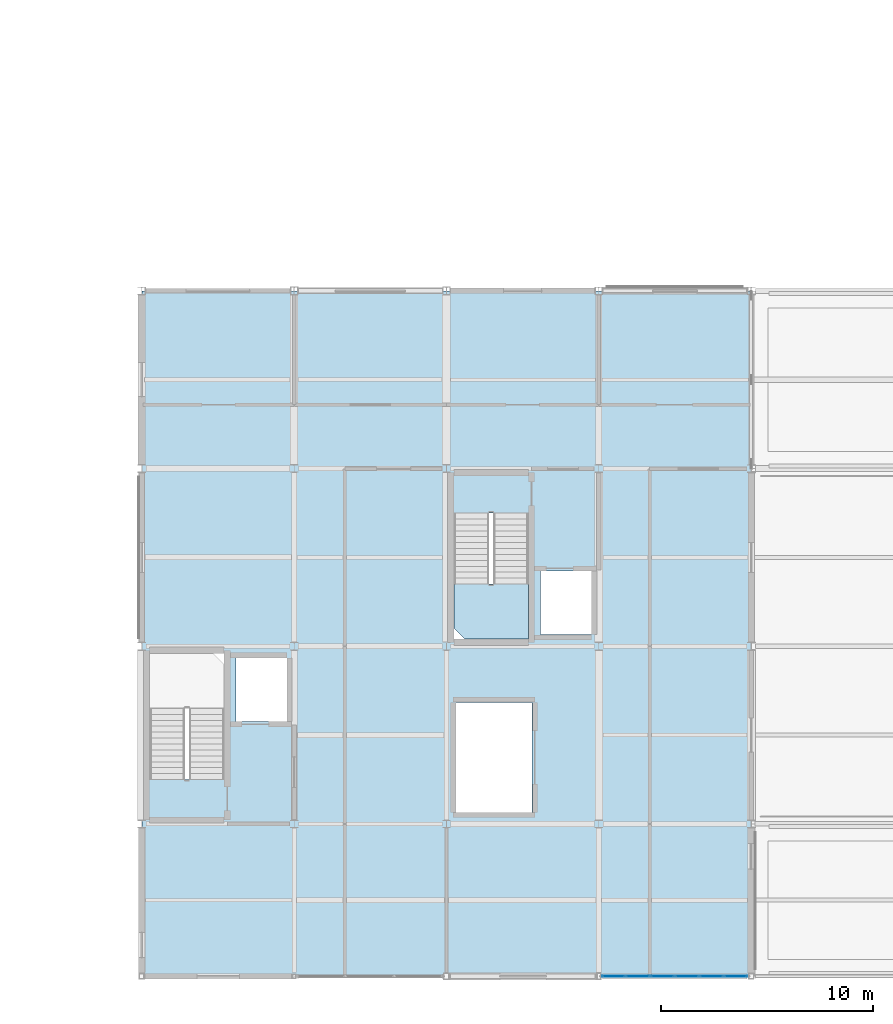
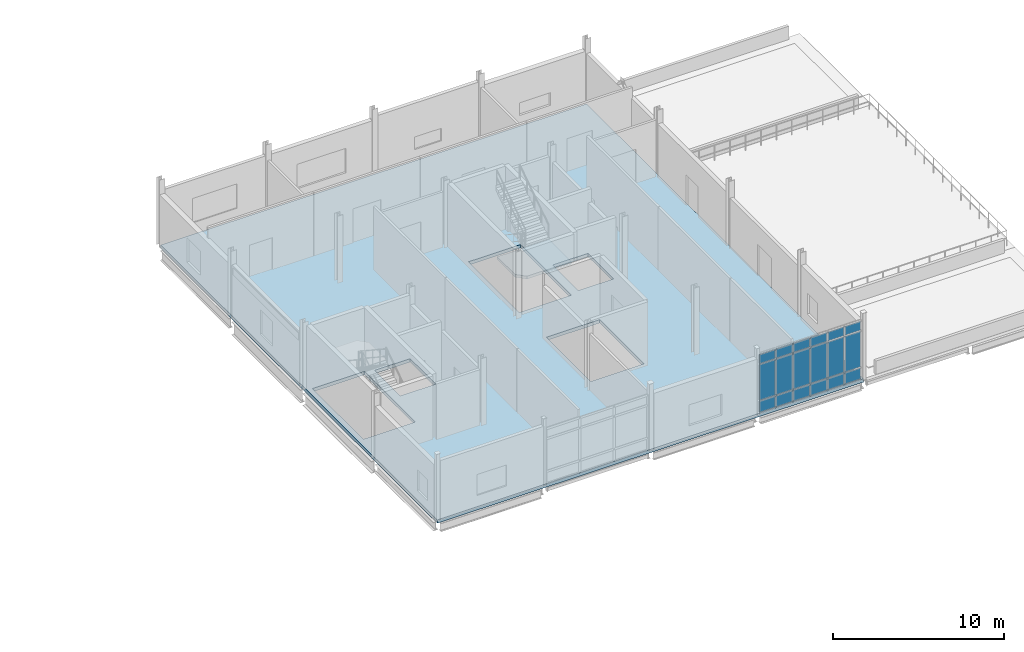
# One storey, part 31 of 72: 18 plates, 2 slabs, 2 elements without a shape of their own.
"""IFC4 building model written with IfcOpenShell, lengths in metres."""

from ifc_helpers import new_model, si_unit, direction, frame, origin, origin_2d, place, context, subcontext, project, spatial, polyline, rectangle, outline, extrude, material, layer, layer_set, type_object, element, aggregate, save


model = new_model("IFC4")

# Units and contexts
model_context = context("Model", 3, precision=1e-05, world=origin(), true_north=direction((0.0, 1.0)))
body_context = subcontext(model_context, "Body", "Model", "MODEL_VIEW")
ifc_project = project(units=[si_unit("LENGTHUNIT", "METRE"), si_unit("AREAUNIT", "SQUARE_METRE"), si_unit("VOLUMEUNIT", "CUBIC_METRE"), si_unit("PLANEANGLEUNIT", "RADIAN"), si_unit("MASSUNIT", "GRAM", prefix="KILO")], contexts=[model_context])

# Site, building, storey
site_placement = place(None, origin())
site = spatial("IfcSite", under=ifc_project, at=site_placement, CompositionType="ELEMENT")
building_placement = place(site_placement, origin())
building = spatial("IfcBuilding", under=site, at=building_placement, Name="Calvrana Isthmian Art Gallery", CompositionType="ELEMENT")
storey_placement = place(building_placement, frame((0.0, 0.0, 15.0)))
storey = spatial("IfcBuildingStorey", under=building, at=storey_placement, Name="L03", CompositionType="ELEMENT", Elevation=15.0)

# Curtain wall, plates
ifc_material_1 = material(Name="Anodized bronze aluminium 6063-T6", Category="aluminium")
ifc_layer_1 = layer(ifc_material_1, 0.179931640625, Name="Anodized bronze aluminium 6063-T6")
ifc_layer_set_1 = layer_set([ifc_layer_1], Name="Anodized bronze aluminium 6063-T6")
curtain_wall_type = type_object("IfcCurtainWallType", Name="CW-STICK-070X43", PredefinedType="NOTDEFINED", material=ifc_layer_set_1)
curtain_wall_placement = place(storey_placement, origin())
curtain_wall = element("IfcCurtainWall", 1, at=curtain_wall_placement, inside=storey, type_object=curtain_wall_type, Name="Curtain wall CW-188", PredefinedType="NOTDEFINED")
ifc_material_2 = material(Name="Low-E laminated solar glass", Category="glass")
ifc_layer_2 = layer(ifc_material_2, 0.028076171875, Name="Low-E laminated solar glass")
ifc_layer_set_2 = layer_set([ifc_layer_2], Name="Low-E laminated solar glass")
plate_type = type_object("IfcPlateType", Name="CWP-VISION-28", PredefinedType="CURTAIN_PANEL", material=ifc_layer_set_2)
plate_1_placement = place(storey_placement, frame((140.875732421875, 14.39990234375, 0.070068359375), z_axis=(0.0, 0.0, 1.0), x_axis=(-1.0, 0.0, 0.0)))
plate_1 = element("IfcPlate", 2, at=plate_1_placement, type_object=plate_type, Name="CW-188 panel 1.1", PredefinedType="CURTAIN_PANEL", context=body_context, shape_type="SweptSolid", body=[
    extrude(rectangle(XDim=1.064453125, YDim=0.028076171875, at=origin_2d()), origin(), (0.0, 0.0, 1.0), 0.794921875),
])
plate_2_placement = place(storey_placement, frame((140.875732421875, 14.39990234375, 0.93505859375), z_axis=(0.0, 0.0, 1.0), x_axis=(-1.0, 0.0, 0.0)))
plate_2 = element("IfcPlate", 3, at=plate_2_placement, type_object=plate_type, Name="CW-188 panel 1.2", PredefinedType="CURTAIN_PANEL", context=body_context, shape_type="SweptSolid", body=[
    extrude(rectangle(XDim=1.064453125, YDim=0.028076171875, at=origin_2d()), origin(), (0.0, 0.0, 1.0), 2.5458984375),
])
plate_3_placement = place(storey_placement, frame((140.875732421875, 14.39990234375, 3.551025390625), z_axis=(0.0, 0.0, 1.0), x_axis=(-1.0, 0.0, 0.0)))
plate_3 = element("IfcPlate", 4, at=plate_3_placement, type_object=plate_type, Name="CW-188 panel 1.3", PredefinedType="CURTAIN_PANEL", context=body_context, shape_type="SweptSolid", body=[
    extrude(rectangle(XDim=1.064453125, YDim=0.028076171875, at=origin_2d()), origin(), (0.0, 0.0, 1.0), 0.64501953125),
])
plate_4_placement = place(storey_placement, frame((139.730224609375, 14.39990234375, 0.070068359375), z_axis=(0.0, 0.0, 1.0), x_axis=(-1.0, 0.0, 0.0)))
plate_4 = element("IfcPlate", 5, at=plate_4_placement, type_object=plate_type, Name="CW-188 panel 2.1", PredefinedType="CURTAIN_PANEL", context=body_context, shape_type="SweptSolid", body=[
    extrude(rectangle(XDim=1.096923828125, YDim=0.028076171875, at=origin_2d()), origin(), (0.0, 0.0, 1.0), 0.794921875),
])
plate_5_placement = place(storey_placement, frame((139.730224609375, 14.39990234375, 0.93505859375), z_axis=(0.0, 0.0, 1.0), x_axis=(-1.0, 0.0, 0.0)))
plate_5 = element("IfcPlate", 6, at=plate_5_placement, type_object=plate_type, Name="CW-188 panel 2.2", PredefinedType="CURTAIN_PANEL", context=body_context, shape_type="SweptSolid", body=[
    extrude(rectangle(XDim=1.096923828125, YDim=0.028076171875, at=origin_2d()), origin(), (0.0, 0.0, 1.0), 2.5458984375),
])
plate_6_placement = place(storey_placement, frame((139.730224609375, 14.39990234375, 3.551025390625), z_axis=(0.0, 0.0, 1.0), x_axis=(-1.0, 0.0, 0.0)))
plate_6 = element("IfcPlate", 7, at=plate_6_placement, type_object=plate_type, Name="CW-188 panel 2.3", PredefinedType="CURTAIN_PANEL", context=body_context, shape_type="SweptSolid", body=[
    extrude(rectangle(XDim=1.096923828125, YDim=0.028076171875, at=origin_2d()), origin(), (0.0, 0.0, 1.0), 0.64501953125),
])
plate_7_placement = place(storey_placement, frame((138.568359375, 14.39990234375, 0.070068359375), z_axis=(0.0, 0.0, 1.0), x_axis=(-1.0, 0.0, 0.0)))
plate_7 = element("IfcPlate", 8, at=plate_7_placement, type_object=plate_type, Name="CW-188 panel 3.1", PredefinedType="CURTAIN_PANEL", context=body_context, shape_type="SweptSolid", body=[
    extrude(rectangle(XDim=1.096923828125, YDim=0.028076171875, at=origin_2d()), origin(), (0.0, 0.0, 1.0), 0.794921875),
])
plate_8_placement = place(storey_placement, frame((138.568359375, 14.39990234375, 0.93505859375), z_axis=(0.0, 0.0, 1.0), x_axis=(-1.0, 0.0, 0.0)))
plate_8 = element("IfcPlate", 9, at=plate_8_placement, type_object=plate_type, Name="CW-188 panel 3.2", PredefinedType="CURTAIN_PANEL", context=body_context, shape_type="SweptSolid", body=[
    extrude(rectangle(XDim=1.096923828125, YDim=0.028076171875, at=origin_2d()), origin(), (0.0, 0.0, 1.0), 2.5458984375),
])
plate_9_placement = place(storey_placement, frame((138.568359375, 14.39990234375, 3.551025390625), z_axis=(0.0, 0.0, 1.0), x_axis=(-1.0, 0.0, 0.0)))
plate_9 = element("IfcPlate", 10, at=plate_9_placement, type_object=plate_type, Name="CW-188 panel 3.3", PredefinedType="CURTAIN_PANEL", context=body_context, shape_type="SweptSolid", body=[
    extrude(rectangle(XDim=1.096923828125, YDim=0.028076171875, at=origin_2d()), origin(), (0.0, 0.0, 1.0), 0.64501953125),
])
plate_10_placement = place(storey_placement, frame((137.40625, 14.39990234375, 0.070068359375), z_axis=(0.0, 0.0, 1.0), x_axis=(-1.0, 0.0, 0.0)))
plate_10 = element("IfcPlate", 11, at=plate_10_placement, type_object=plate_type, Name="CW-188 panel 4.1", PredefinedType="CURTAIN_PANEL", context=body_context, shape_type="SweptSolid", body=[
    extrude(rectangle(XDim=1.096923828125, YDim=0.028076171875, at=origin_2d()), origin(), (0.0, 0.0, 1.0), 0.794921875),
])
plate_11_placement = place(storey_placement, frame((137.40625, 14.39990234375, 0.93505859375), z_axis=(0.0, 0.0, 1.0), x_axis=(-1.0, 0.0, 0.0)))
plate_11 = element("IfcPlate", 12, at=plate_11_placement, type_object=plate_type, Name="CW-188 panel 4.2", PredefinedType="CURTAIN_PANEL", context=body_context, shape_type="SweptSolid", body=[
    extrude(rectangle(XDim=1.096923828125, YDim=0.028076171875, at=origin_2d()), origin(), (0.0, 0.0, 1.0), 2.5458984375),
])
plate_12_placement = place(storey_placement, frame((137.40625, 14.39990234375, 3.551025390625), z_axis=(0.0, 0.0, 1.0), x_axis=(-1.0, 0.0, 0.0)))
plate_12 = element("IfcPlate", 13, at=plate_12_placement, type_object=plate_type, Name="CW-188 panel 4.3", PredefinedType="CURTAIN_PANEL", context=body_context, shape_type="SweptSolid", body=[
    extrude(rectangle(XDim=1.096923828125, YDim=0.028076171875, at=origin_2d()), origin(), (0.0, 0.0, 1.0), 0.64501953125),
])
plate_13_placement = place(storey_placement, frame((136.244384765625, 14.39990234375, 0.070068359375), z_axis=(0.0, 0.0, 1.0), x_axis=(-1.0, 0.0, 0.0)))
plate_13 = element("IfcPlate", 14, at=plate_13_placement, type_object=plate_type, Name="CW-188 panel 5.1", PredefinedType="CURTAIN_PANEL", context=body_context, shape_type="SweptSolid", body=[
    extrude(rectangle(XDim=1.096923828125, YDim=0.028076171875, at=origin_2d()), origin(), (0.0, 0.0, 1.0), 0.794921875),
])
plate_14_placement = place(storey_placement, frame((136.244384765625, 14.39990234375, 0.93505859375), z_axis=(0.0, 0.0, 1.0), x_axis=(-1.0, 0.0, 0.0)))
plate_14 = element("IfcPlate", 15, at=plate_14_placement, type_object=plate_type, Name="CW-188 panel 5.2", PredefinedType="CURTAIN_PANEL", context=body_context, shape_type="SweptSolid", body=[
    extrude(rectangle(XDim=1.096923828125, YDim=0.028076171875, at=origin_2d()), origin(), (0.0, 0.0, 1.0), 2.5458984375),
])
plate_15_placement = place(storey_placement, frame((136.244384765625, 14.39990234375, 3.551025390625), z_axis=(0.0, 0.0, 1.0), x_axis=(-1.0, 0.0, 0.0)))
plate_15 = element("IfcPlate", 16, at=plate_15_placement, type_object=plate_type, Name="CW-188 panel 5.3", PredefinedType="CURTAIN_PANEL", context=body_context, shape_type="SweptSolid", body=[
    extrude(rectangle(XDim=1.096923828125, YDim=0.028076171875, at=origin_2d()), origin(), (0.0, 0.0, 1.0), 0.64501953125),
])
plate_16_placement = place(storey_placement, frame((135.098876953125, 14.39990234375, 0.070068359375), z_axis=(0.0, 0.0, 1.0), x_axis=(-1.0, 0.0, 0.0)))
plate_16 = element("IfcPlate", 17, at=plate_16_placement, type_object=plate_type, Name="CW-188 panel 6.1", PredefinedType="CURTAIN_PANEL", context=body_context, shape_type="SweptSolid", body=[
    extrude(rectangle(XDim=1.064453125, YDim=0.028076171875, at=origin_2d()), origin(), (0.0, 0.0, 1.0), 0.794921875),
])
plate_17_placement = place(storey_placement, frame((135.098876953125, 14.39990234375, 0.93505859375), z_axis=(0.0, 0.0, 1.0), x_axis=(-1.0, 0.0, 0.0)))
plate_17 = element("IfcPlate", 18, at=plate_17_placement, type_object=plate_type, Name="CW-188 panel 6.2", PredefinedType="CURTAIN_PANEL", context=body_context, shape_type="SweptSolid", body=[
    extrude(rectangle(XDim=1.064453125, YDim=0.028076171875, at=origin_2d()), origin(), (0.0, 0.0, 1.0), 2.5458984375),
])
plate_18_placement = place(storey_placement, frame((135.098876953125, 14.39990234375, 3.551025390625), z_axis=(0.0, 0.0, 1.0), x_axis=(-1.0, 0.0, 0.0)))
plate_18 = element("IfcPlate", 19, at=plate_18_placement, type_object=plate_type, Name="CW-188 panel 6.3", PredefinedType="CURTAIN_PANEL", context=body_context, shape_type="SweptSolid", body=[
    extrude(rectangle(XDim=1.064453125, YDim=0.028076171875, at=origin_2d()), origin(), (0.0, 0.0, 1.0), 0.64501953125),
])
aggregate(curtain_wall, [plate_1, plate_2, plate_3, plate_4, plate_5, plate_6, plate_7, plate_8, plate_9, plate_10, plate_11, plate_12, plate_13, plate_14, plate_15, plate_16, plate_17, plate_18])

# Slab
ifc_material_3 = material(Name="Concrete C40/50", Category="concrete")
ifc_layer_3 = layer(ifc_material_3, 0.239990234375, Name="Concrete C40/50")
ifc_layer_set_3 = layer_set([ifc_layer_3], Name="Concrete C40/50")
slab_type_1 = type_object("IfcSlabType", Name="SLB-FLR-240", PredefinedType="FLOOR", material=ifc_layer_set_3)
slab_1_placement = place(storey_placement, frame((0.0, 0.0, -0.239990234375)))
element("IfcSlab", 20, at=slab_1_placement, inside=storey, type_object=slab_type_1, Name="Floor slab V4_L03", PredefinedType="FLOOR", context=body_context, shape_type="SweptSolid", body=[
    extrude(outline(polyline([(112.800048828125, 14.39990234375), (141.60009765625, 14.39990234375), (141.60009765625, 46.800048828125), (112.800048828125, 46.800048828125), (112.800048828125, 14.39990234375)]), holes=[polyline([(116.68994140625, 23.699951171875), (116.68994140625, 29.659912109375), (113.169921875, 29.659912109375), (113.169921875, 23.699951171875), (116.68994140625, 23.699951171875)]), polyline([(117.25, 26.449951171875), (119.64990234375, 26.449951171875), (119.64990234375, 29.449951171875), (117.25, 29.449951171875), (117.25, 26.449951171875)]), polyline([(127.550048828125, 36.300048828125), (127.550048828125, 30.340087890625), (131.070068359375, 30.340087890625), (131.070068359375, 36.300048828125), (127.550048828125, 36.300048828125)]), polyline([(131.64990234375, 30.550048828125), (134.050048828125, 30.550048828125), (134.050048828125, 33.550048828125), (131.64990234375, 33.550048828125), (131.64990234375, 30.550048828125)]), polyline([(127.64990234375, 22.14990234375), (131.25, 22.14990234375), (131.25, 27.35009765625), (127.64990234375, 27.35009765625), (127.64990234375, 22.14990234375)])]), origin(), (0.0, 0.0, 1.0), 0.239990234375),
])

# Stair, slab
stair_type = type_object("IfcStairType", Name="STR-HT-480", PredefinedType="HALF_TURN_STAIR", material=ifc_material_3)
stair_placement = place(storey_placement, origin())
stair = element("IfcStair", 21, at=stair_placement, inside=storey, type_object=stair_type, Name="Protected exit stair ST-4 (L03)", PredefinedType="HALF_TURN_STAIR")
ifc_layer_4 = layer(ifc_material_3, 0.199951171875, Name="Concrete C40/50")
ifc_layer_set_4 = layer_set([ifc_layer_4], Name="Concrete C40/50")
slab_type_2 = type_object("IfcSlabType", Name="SLB-LAND-200", PredefinedType="LANDING", material=ifc_layer_set_4)
slab_2_placement = place(storey_placement, frame((0.0, 0.0, 2.199951171875)))
slab_2 = element("IfcSlab", 22, at=slab_2_placement, type_object=slab_type_2, Name="ST-4 landing 1", PredefinedType="LANDING", context=body_context, shape_type="SweptSolid", body=[
    extrude(outline(polyline([(127.550048828125, 32.93994140625), (127.550048828125, 30.860107421875), (128.070068359375, 30.340087890625), (131.070068359375, 30.340087890625), (131.070068359375, 32.93994140625), (127.550048828125, 32.93994140625)])), origin(), (0.0, 0.0, 1.0), 0.199951171875),
])
aggregate(stair, [slab_2])

save(model, "model.ifc")
